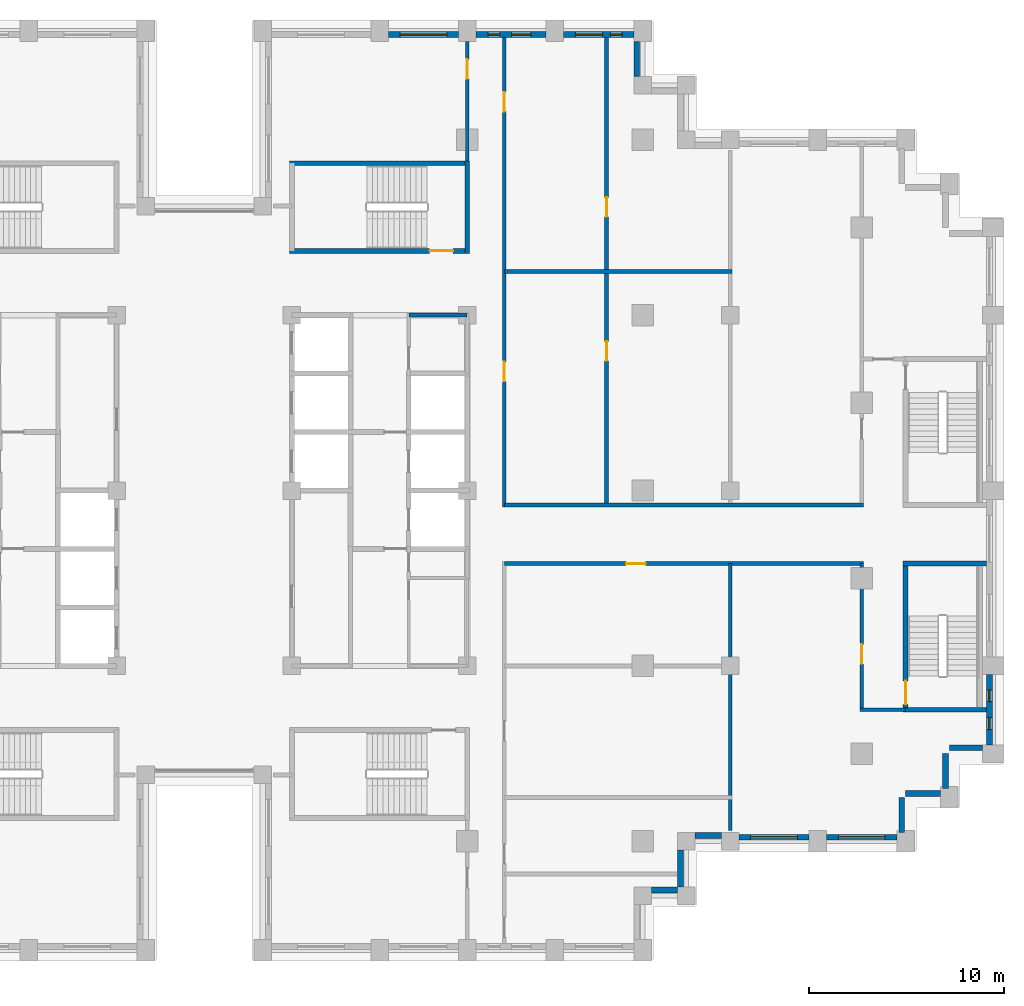
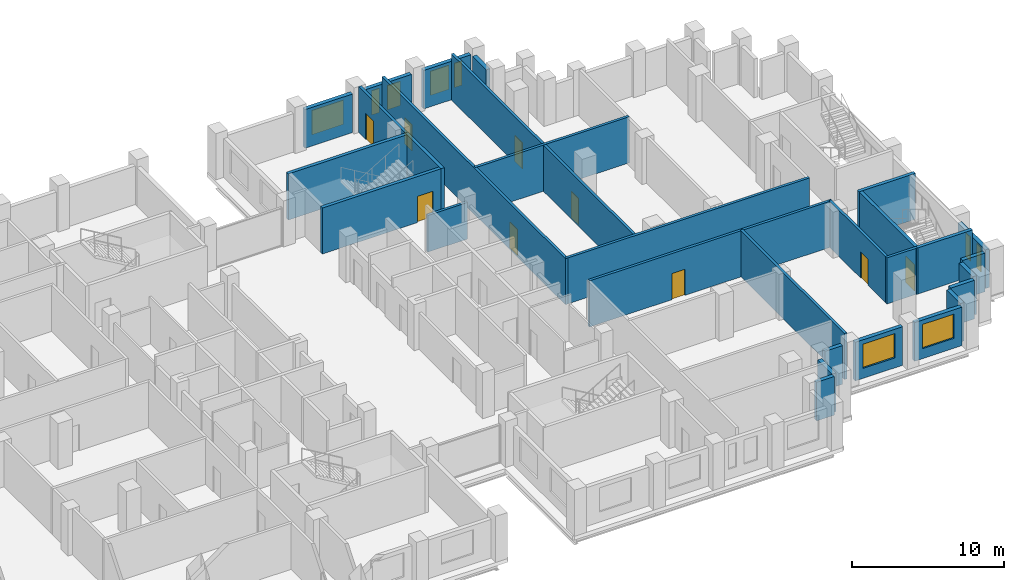
# One storey, part 11 of 15: 30 walls, 9 doors, 9 windows, 18 openings.
"""IFC4 building model written with IfcOpenShell, lengths in metres."""

from ifc_helpers import new_model, si_unit, direction, frame, frame_2d, origin, place, context, subcontext, project, spatial, rectangle, extrude, material, layer, layer_set, type_object, element, fill, save


model = new_model("IFC4")

# Units and contexts
model_context = context("Model", 3, precision=1e-05, world=origin(), true_north=direction((0.0, 1.0)))
body_context = subcontext(model_context, "Body", "Model", "MODEL_VIEW")
ifc_project = project(units=[si_unit("LENGTHUNIT", "METRE"), si_unit("AREAUNIT", "SQUARE_METRE"), si_unit("VOLUMEUNIT", "CUBIC_METRE"), si_unit("PLANEANGLEUNIT", "RADIAN"), si_unit("MASSUNIT", "GRAM", prefix="KILO")], contexts=[model_context])

# Site, building, storey
site_placement = place(None, origin())
site = spatial("IfcSite", under=ifc_project, at=site_placement, CompositionType="ELEMENT")
building_placement = place(site_placement, origin())
building = spatial("IfcBuilding", under=site, at=building_placement, Name="Corbelhall Arena Tower", CompositionType="ELEMENT")
storey_placement = place(building_placement, frame((0.0, 0.0, 162.0)))
storey = spatial("IfcBuildingStorey", under=building, at=storey_placement, Name="L32", CompositionType="ELEMENT", Elevation=162.0)

# Walls
ifc_material_1 = material(Name="Precast concrete C40/50 with granite facing", Category="masonry")
ifc_layer_1 = layer(ifc_material_1, 0.300048828125)
ifc_layer_set_1 = layer_set([ifc_layer_1], Name="EV-IW1 Infill panel 300")
wall_type_1 = type_object("IfcWallType", Name="EV-IW1 Infill panel 300", PredefinedType="SOLIDWALL", material=ifc_layer_set_1)
for number, where, z_axis, x_axis, name in (
    (1, (35.800048828125, -17.550048828125, 0.0), (0.0, 0.0, 1.0), (0.0, 1.0, 0.0), "Infill panel IW1"),
    (2, (37.800048828125, -15.550048828125, 0.0), (0.0, 0.0, 1.0), (-1.0, 0.0, 0.0), "Infill panel IW1"),
    (3, (38.050048828125, -15.300048828125, 0.0), (0.0, 0.0, 1.0), (0.0, 1.0, 0.0), "Infill panel IW1"),
):
    element("IfcWall", number, at=place(storey_placement, frame(where, z_axis=z_axis, x_axis=x_axis)), inside=storey, type_object=wall_type_1, Name=name, PredefinedType="SOLIDWALL", context=body_context, shape_type="SweptSolid", body=[
        extrude(rectangle(XDim=1.800048828125, YDim=0.300048828125, at=frame_2d((0.89990234375, 0.0))), origin(), (0.0, 0.0, 1.0), 3.10009765625),
    ])
wall_1_placement = place(storey_placement, frame((39.949951171875, -13.199951171875, 0.0), z_axis=(0.0, 0.0, 1.0), x_axis=(-1.0, 0.0, 0.0)))
element("IfcWall", 4, at=wall_1_placement, inside=storey, type_object=wall_type_1, Name="Infill panel IW1", PredefinedType="SOLIDWALL", context=body_context, shape_type="SweptSolid", body=[
    extrude(rectangle(XDim=1.699951171875, YDim=0.300048828125, at=frame_2d((0.85009765625, 0.0))), origin(), (0.0, 0.0, 1.0), 3.10009765625),
])
wall_2_placement = place(storey_placement, frame((22.949951171875, -20.5, 0.0), z_axis=(0.0, 0.0, 1.0), x_axis=(1.0, 0.0, 0.0)))
element("IfcWall", 5, at=wall_2_placement, inside=storey, type_object=wall_type_1, Name="Infill panel IW1", PredefinedType="SOLIDWALL", context=body_context, shape_type="SweptSolid", body=[
    extrude(rectangle(XDim=1.35009765625, YDim=0.300048828125, at=frame_2d((0.675048828125, 0.0))), origin(), (0.0, 0.0, 1.0), 3.10009765625),
])
wall_3_placement = place(storey_placement, frame((24.449951171875, -20.35009765625, 0.0), z_axis=(0.0, 0.0, 1.0), x_axis=(0.0, 1.0, 0.0)))
element("IfcWall", 6, at=wall_3_placement, inside=storey, type_object=wall_type_1, Name="Infill panel IW1", PredefinedType="SOLIDWALL", context=body_context, shape_type="SweptSolid", body=[
    extrude(rectangle(XDim=1.900146484375, YDim=0.300048828125, at=frame_2d((0.9501953125, 0.0))), origin(), (0.0, 0.0, 1.0), 3.10009765625),
])
wall_4_placement = place(storey_placement, frame((25.199951171875, -17.699951171875, 0.0), z_axis=(0.0, 0.0, 1.0), x_axis=(1.0, 0.0, 0.0)))
element("IfcWall", 7, at=wall_4_placement, inside=storey, type_object=wall_type_1, Name="Infill panel IW1", PredefinedType="SOLIDWALL", context=body_context, shape_type="SweptSolid", body=[
    extrude(rectangle(XDim=1.35009765625, YDim=0.300048828125, at=frame_2d((0.675048828125, 0.0))), origin(), (0.0, 0.0, 1.0), 3.10009765625),
])

# Wall, opening, window
wall_5_placement = place(storey_placement, frame((27.449951171875, -17.800048828125, 0.0), z_axis=(0.0, 0.0, 1.0), x_axis=(1.0, 0.0, 0.0)))
wall_5 = element("IfcWall", 8, at=wall_5_placement, inside=storey, type_object=wall_type_1, Name="Infill panel IW1", PredefinedType="SOLIDWALL", context=body_context, shape_type="SweptSolid", body=[
    extrude(rectangle(XDim=3.60009765625, YDim=0.300048828125, at=frame_2d((1.800048828125, 0.0))), origin(), (0.0, 0.0, 1.0), 3.10009765625),
])
opening_1_placement = place(wall_5_placement, frame((0.60009765625, 0.0, 0.800048828125)))
opening_1 = element("IfcOpeningElement", 9, at=opening_1_placement, cuts=wall_5, Name="Opening WN1", PredefinedType="OPENING", context=body_context, shape_type="SweptSolid", body=[
    extrude(rectangle(XDim=2.39990234375, YDim=1.949951171875, at=frame_2d((1.199951171875, 0.97509765625))), frame((0.0, 0.14990234375, 0.0), z_axis=(0.0, -1.0, 0.0), x_axis=(1.0, 0.0, 0.0)), (0.0, 0.0, 1.0), 0.300048828125),
])
ifc_material_2 = material(Name="Aluminium black anodised", Category="aluminium")
window_type_1 = type_object("IfcWindowType", Name="EV-WN1 Office window", PartitioningType="SINGLE_PANEL", PredefinedType="WINDOW", material=ifc_material_2)
window_1_placement = place(opening_1_placement, origin())
window_1 = element("IfcWindow", 10, at=window_1_placement, inside=storey, type_object=window_type_1, Name="Window WN1", OverallHeight=1.949951171875, OverallWidth=2.39990234375, PartitioningType="SINGLE_PANEL", PredefinedType="WINDOW", context=body_context, shape_type="SweptSolid", body=[
    extrude(rectangle(XDim=2.39990234375, YDim=1.949951171875, at=frame_2d((1.199951171875, 0.97509765625))), frame((0.0, 0.030029296875, 0.0), z_axis=(0.0, -1.0, 0.0), x_axis=(1.0, 0.0, 0.0)), (0.0, 0.0, 1.0), 0.06005859375),
])
fill(opening_1, window_1)

wall_6_placement = place(storey_placement, frame((31.949951171875, -17.800048828125, 0.0), z_axis=(0.0, 0.0, 1.0), x_axis=(1.0, 0.0, 0.0)))
wall_6 = element("IfcWall", 11, at=wall_6_placement, inside=storey, type_object=wall_type_1, Name="Infill panel IW1", PredefinedType="SOLIDWALL", context=body_context, shape_type="SweptSolid", body=[
    extrude(rectangle(XDim=3.60009765625, YDim=0.300048828125, at=frame_2d((1.800048828125, 0.0))), origin(), (0.0, 0.0, 1.0), 3.10009765625),
])
opening_2_placement = place(wall_6_placement, frame((0.60009765625, 0.0, 0.800048828125)))
opening_2 = element("IfcOpeningElement", 12, at=opening_2_placement, cuts=wall_6, Name="Opening WN1", PredefinedType="OPENING", context=body_context, shape_type="SweptSolid", body=[
    extrude(rectangle(XDim=2.39990234375, YDim=1.949951171875, at=frame_2d((1.199951171875, 0.97509765625))), frame((0.0, 0.14990234375, 0.0), z_axis=(0.0, -1.0, 0.0), x_axis=(1.0, 0.0, 0.0)), (0.0, 0.0, 1.0), 0.300048828125),
])
window_2_placement = place(opening_2_placement, origin())
window_2 = element("IfcWindow", 13, at=window_2_placement, inside=storey, type_object=window_type_1, Name="Window WN1", OverallHeight=1.949951171875, OverallWidth=2.39990234375, PartitioningType="SINGLE_PANEL", PredefinedType="WINDOW", context=body_context, shape_type="SweptSolid", body=[
    extrude(rectangle(XDim=2.39990234375, YDim=1.949951171875, at=frame_2d((1.199951171875, 0.97509765625))), frame((0.0, 0.030029296875, 0.0), z_axis=(0.0, -1.0, 0.0), x_axis=(1.0, 0.0, 0.0)), (0.0, 0.0, 1.0), 0.06005859375),
])
fill(opening_2, window_2)

# Wall, openings, windows
wall_7_placement = place(storey_placement, frame((40.300048828125, -13.050048828125, 0.0), z_axis=(0.0, 0.0, 1.0), x_axis=(0.0, 1.0, 0.0)))
wall_7 = element("IfcWall", 14, at=wall_7_placement, inside=storey, type_object=wall_type_1, Name="Infill panel IW1", PredefinedType="SOLIDWALL", context=body_context, shape_type="SweptSolid", body=[
    extrude(rectangle(XDim=3.60009765625, YDim=0.300048828125, at=frame_2d((1.800048828125, 0.0))), origin(), (0.0, 0.0, 1.0), 3.10009765625),
])
opening_3_placement = place(wall_7_placement, frame((0.78759765625, 0.0, 0.800048828125)))
opening_3 = element("IfcOpeningElement", 15, at=opening_3_placement, cuts=wall_7, Name="Opening WN5", PredefinedType="OPENING", context=body_context, shape_type="SweptSolid", body=[
    extrude(rectangle(XDim=0.60009765625, YDim=1.949951171875, at=frame_2d((0.300048828125, 0.97509765625))), frame((0.0, 0.14990234375, 0.0), z_axis=(0.0, -1.0, 0.0), x_axis=(1.0, 0.0, 0.0)), (0.0, 0.0, 1.0), 0.300048828125),
])
opening_4_placement = place(wall_7_placement, frame((2.21240234375, 0.0, 0.800048828125)))
opening_4 = element("IfcOpeningElement", 16, at=opening_4_placement, cuts=wall_7, Name="Opening WN5", PredefinedType="OPENING", context=body_context, shape_type="SweptSolid", body=[
    extrude(rectangle(XDim=0.60009765625, YDim=1.949951171875, at=frame_2d((0.300048828125, 0.97509765625))), frame((0.0, 0.14990234375, 0.0), z_axis=(0.0, -1.0, 0.0), x_axis=(1.0, 0.0, 0.0)), (0.0, 0.0, 1.0), 0.300048828125),
])
window_type_2 = type_object("IfcWindowType", Name="EV-WN5 Office window 600", PartitioningType="SINGLE_PANEL", PredefinedType="WINDOW", material=ifc_material_2)
window_3_placement = place(opening_3_placement, origin())
window_3 = element("IfcWindow", 17, at=window_3_placement, inside=storey, type_object=window_type_2, Name="Window WN5", OverallHeight=1.949951171875, OverallWidth=0.60009765625, PartitioningType="SINGLE_PANEL", PredefinedType="WINDOW", context=body_context, shape_type="SweptSolid", body=[
    extrude(rectangle(XDim=0.60009765625, YDim=1.949951171875, at=frame_2d((0.300048828125, 0.97509765625))), frame((0.0, 0.030029296875, 0.0), z_axis=(0.0, -1.0, 0.0), x_axis=(1.0, 0.0, 0.0)), (0.0, 0.0, 1.0), 0.06005859375),
])
fill(opening_3, window_3)
window_4_placement = place(opening_4_placement, origin())
window_4 = element("IfcWindow", 18, at=window_4_placement, inside=storey, type_object=window_type_2, Name="Window WN5", OverallHeight=1.949951171875, OverallWidth=0.60009765625, PartitioningType="SINGLE_PANEL", PredefinedType="WINDOW", context=body_context, shape_type="SweptSolid", body=[
    extrude(rectangle(XDim=0.60009765625, YDim=1.949951171875, at=frame_2d((0.300048828125, 0.97509765625))), frame((0.0, 0.030029296875, 0.0), z_axis=(0.0, -1.0, 0.0), x_axis=(1.0, 0.0, 0.0)), (0.0, 0.0, 1.0), 0.06005859375),
])
fill(opening_4, window_4)

# Wall
wall_8_placement = place(storey_placement, frame((22.199951171875, 21.25, 0.0), z_axis=(0.0, 0.0, 1.0), x_axis=(0.0, 1.0, 0.0)))
element("IfcWall", 19, at=wall_8_placement, inside=storey, type_object=wall_type_1, Name="Infill panel IW1", PredefinedType="SOLIDWALL", context=body_context, shape_type="SweptSolid", body=[
    extrude(rectangle(XDim=1.800048828125, YDim=0.300048828125, at=frame_2d((0.89990234375, 0.0))), origin(), (0.0, 0.0, 1.0), 3.10009765625),
])

# Wall, openings, windows
wall_9_placement = place(storey_placement, frame((22.050048828125, 23.39990234375, 0.0), z_axis=(0.0, 0.0, 1.0), x_axis=(-1.0, 0.0, 0.0)))
wall_9 = element("IfcWall", 20, at=wall_9_placement, inside=storey, type_object=wall_type_1, Name="Infill panel IW1", PredefinedType="SOLIDWALL", context=body_context, shape_type="SweptSolid", body=[
    extrude(rectangle(XDim=3.60009765625, YDim=0.300048828125, at=frame_2d((1.800048828125, 0.0))), origin(), (0.0, 0.0, 1.0), 3.10009765625),
])
opening_5_placement = place(wall_9_placement, frame((0.60009765625, 0.0, 0.800048828125)))
opening_5 = element("IfcOpeningElement", 21, at=opening_5_placement, cuts=wall_9, Name="Opening WN5", PredefinedType="OPENING", context=body_context, shape_type="SweptSolid", body=[
    extrude(rectangle(XDim=0.60009765625, YDim=1.949951171875, at=frame_2d((0.300048828125, 0.97509765625))), frame((0.0, 0.14990234375, 0.0), z_axis=(0.0, -1.0, 0.0), x_axis=(1.0, 0.0, 0.0)), (0.0, 0.0, 1.0), 0.300048828125),
])
opening_6_placement = place(wall_9_placement, frame((1.60009765625, 0.0, 0.800048828125)))
opening_6 = element("IfcOpeningElement", 22, at=opening_6_placement, cuts=wall_9, Name="Opening WN7", PredefinedType="OPENING", context=body_context, shape_type="SweptSolid", body=[
    extrude(rectangle(XDim=1.39990234375, YDim=1.949951171875, at=frame_2d((0.699951171875, 0.97509765625))), frame((0.0, 0.14990234375, 0.0), z_axis=(0.0, -1.0, 0.0), x_axis=(1.0, 0.0, 0.0)), (0.0, 0.0, 1.0), 0.300048828125),
])
window_5_placement = place(opening_5_placement, origin())
window_5 = element("IfcWindow", 23, at=window_5_placement, inside=storey, type_object=window_type_2, Name="Window WN5", OverallHeight=1.949951171875, OverallWidth=0.60009765625, PartitioningType="SINGLE_PANEL", PredefinedType="WINDOW", context=body_context, shape_type="SweptSolid", body=[
    extrude(rectangle(XDim=0.60009765625, YDim=1.949951171875, at=frame_2d((0.300048828125, 0.97509765625))), frame((0.0, 0.030029296875, 0.0), z_axis=(0.0, -1.0, 0.0), x_axis=(1.0, 0.0, 0.0)), (0.0, 0.0, 1.0), 0.06005859375),
])
fill(opening_5, window_5)
window_type_3 = type_object("IfcWindowType", Name="EV-WN7 Office window 1400", PartitioningType="SINGLE_PANEL", PredefinedType="WINDOW", material=ifc_material_2)
window_6_placement = place(opening_6_placement, origin())
window_6 = element("IfcWindow", 24, at=window_6_placement, inside=storey, type_object=window_type_3, Name="Window WN7", OverallHeight=1.949951171875, OverallWidth=1.39990234375, PartitioningType="SINGLE_PANEL", PredefinedType="WINDOW", context=body_context, shape_type="SweptSolid", body=[
    extrude(rectangle(XDim=1.39990234375, YDim=1.949951171875, at=frame_2d((0.699951171875, 0.97509765625))), frame((0.0, 0.030029296875, 0.0), z_axis=(0.0, -1.0, 0.0), x_axis=(1.0, 0.0, 0.0)), (0.0, 0.0, 1.0), 0.06005859375),
])
fill(opening_6, window_6)

wall_10_placement = place(storey_placement, frame((17.550048828125, 23.39990234375, 0.0), z_axis=(0.0, 0.0, 1.0), x_axis=(-1.0, 0.0, 0.0)))
wall_10 = element("IfcWall", 25, at=wall_10_placement, inside=storey, type_object=wall_type_1, Name="Infill panel IW1", PredefinedType="SOLIDWALL", context=body_context, shape_type="SweptSolid", body=[
    extrude(rectangle(XDim=3.60009765625, YDim=0.300048828125, at=frame_2d((1.800048828125, 0.0))), origin(), (0.0, 0.0, 1.0), 3.10009765625),
])
opening_7_placement = place(wall_10_placement, frame((0.77490234375, 0.0, 0.800048828125)))
opening_7 = element("IfcOpeningElement", 26, at=opening_7_placement, cuts=wall_10, Name="Opening WN6", PredefinedType="OPENING", context=body_context, shape_type="SweptSolid", body=[
    extrude(rectangle(XDim=1.0, YDim=1.949951171875, at=frame_2d((0.5, 0.97509765625))), frame((0.0, 0.14990234375, 0.0), z_axis=(0.0, -1.0, 0.0), x_axis=(1.0, 0.0, 0.0)), (0.0, 0.0, 1.0), 0.300048828125),
])
opening_8_placement = place(wall_10_placement, frame((2.375, 0.0, 0.800048828125)))
opening_8 = element("IfcOpeningElement", 27, at=opening_8_placement, cuts=wall_10, Name="Opening WN5", PredefinedType="OPENING", context=body_context, shape_type="SweptSolid", body=[
    extrude(rectangle(XDim=0.60009765625, YDim=1.949951171875, at=frame_2d((0.300048828125, 0.97509765625))), frame((0.0, 0.14990234375, 0.0), z_axis=(0.0, -1.0, 0.0), x_axis=(1.0, 0.0, 0.0)), (0.0, 0.0, 1.0), 0.300048828125),
])
window_7_placement = place(opening_8_placement, origin())
window_7 = element("IfcWindow", 28, at=window_7_placement, inside=storey, type_object=window_type_2, Name="Window WN5", OverallHeight=1.949951171875, OverallWidth=0.60009765625, PartitioningType="SINGLE_PANEL", PredefinedType="WINDOW", context=body_context, shape_type="SweptSolid", body=[
    extrude(rectangle(XDim=0.60009765625, YDim=1.949951171875, at=frame_2d((0.300048828125, 0.97509765625))), frame((0.0, 0.030029296875, 0.0), z_axis=(0.0, -1.0, 0.0), x_axis=(1.0, 0.0, 0.0)), (0.0, 0.0, 1.0), 0.06005859375),
])
fill(opening_8, window_7)
window_type_4 = type_object("IfcWindowType", Name="EV-WN6 Office window 1000", PartitioningType="SINGLE_PANEL", PredefinedType="WINDOW", material=ifc_material_2)
window_8_placement = place(opening_7_placement, origin())
window_8 = element("IfcWindow", 29, at=window_8_placement, inside=storey, type_object=window_type_4, Name="Window WN6", OverallHeight=1.949951171875, OverallWidth=1.0, PartitioningType="SINGLE_PANEL", PredefinedType="WINDOW", context=body_context, shape_type="SweptSolid", body=[
    extrude(rectangle(XDim=1.0, YDim=1.949951171875, at=frame_2d((0.5, 0.97509765625))), frame((0.0, 0.030029296875, 0.0), z_axis=(0.0, -1.0, 0.0), x_axis=(1.0, 0.0, 0.0)), (0.0, 0.0, 1.0), 0.06005859375),
])
fill(opening_7, window_8)

# Wall, opening, window
wall_11_placement = place(storey_placement, frame((13.050048828125, 23.39990234375, 0.0), z_axis=(0.0, 0.0, 1.0), x_axis=(-1.0, 0.0, 0.0)))
wall_11 = element("IfcWall", 30, at=wall_11_placement, inside=storey, type_object=wall_type_1, Name="Infill panel IW1", PredefinedType="SOLIDWALL", context=body_context, shape_type="SweptSolid", body=[
    extrude(rectangle(XDim=3.60009765625, YDim=0.300048828125, at=frame_2d((1.800048828125, 0.0))), origin(), (0.0, 0.0, 1.0), 3.10009765625),
])
opening_9_placement = place(wall_11_placement, frame((0.60009765625, 0.0, 0.800048828125)))
opening_9 = element("IfcOpeningElement", 31, at=opening_9_placement, cuts=wall_11, Name="Opening WN1", PredefinedType="OPENING", context=body_context, shape_type="SweptSolid", body=[
    extrude(rectangle(XDim=2.39990234375, YDim=1.949951171875, at=frame_2d((1.199951171875, 0.97509765625))), frame((0.0, 0.14990234375, 0.0), z_axis=(0.0, -1.0, 0.0), x_axis=(1.0, 0.0, 0.0)), (0.0, 0.0, 1.0), 0.300048828125),
])
window_9_placement = place(opening_9_placement, origin())
window_9 = element("IfcWindow", 32, at=window_9_placement, inside=storey, type_object=window_type_1, Name="Window WN1", OverallHeight=1.949951171875, OverallWidth=2.39990234375, PartitioningType="SINGLE_PANEL", PredefinedType="WINDOW", context=body_context, shape_type="SweptSolid", body=[
    extrude(rectangle(XDim=2.39990234375, YDim=1.949951171875, at=frame_2d((1.199951171875, 0.97509765625))), frame((0.0, 0.030029296875, 0.0), z_axis=(0.0, -1.0, 0.0), x_axis=(1.0, 0.0, 0.0)), (0.0, 0.0, 1.0), 0.06005859375),
])
fill(opening_9, window_9)

# Wall, opening, door
ifc_material_3 = material(Name="Gypsum board on steel stud, acoustic", Category="steel")
ifc_layer_2 = layer(ifc_material_3, 0.199951171875)
ifc_layer_set_2 = layer_set([ifc_layer_2], Name="IN-W-DM200")
wall_type_2 = type_object("IfcWallType", Name="IN-W-DM200", PredefinedType="PARTITIONING", material=ifc_layer_set_2)
wall_12_placement = place(storey_placement, frame((13.5, 16.675048828125, 0.0), z_axis=(0.0, 0.0, 1.0), x_axis=(0.0, 1.0, 0.0)))
wall_12 = element("IfcWall", 33, at=wall_12_placement, inside=storey, type_object=wall_type_2, Name="Partition 028", PredefinedType="PARTITIONING", context=body_context, shape_type="SweptSolid", body=[
    extrude(rectangle(XDim=6.375, YDim=0.199951171875, at=frame_2d((3.1875, 0.0))), origin(), (0.0, 0.0, 1.0), 3.699951171875),
])
opening_10_placement = place(wall_12_placement, frame((4.449951171875, 0.0, 0.0)))
opening_10 = element("IfcOpeningElement", 34, at=opening_10_placement, cuts=wall_12, Name="Opening 09021", PredefinedType="OPENING", context=body_context, shape_type="SweptSolid", body=[
    extrude(rectangle(XDim=1.0, YDim=2.10009765625, at=frame_2d((0.5, 1.050048828125))), frame((0.0, 0.10009765625, 0.0), z_axis=(0.0, -1.0, 0.0), x_axis=(1.0, 0.0, 0.0)), (0.0, 0.0, 1.0), 0.199951171875),
])
ifc_material_4 = material(Name="Steel door set", Category="steel")
door_type_1 = type_object("IfcDoorType", Name="IN-D-SW100", OperationType="NOTDEFINED", PredefinedType="DOOR", material=ifc_material_4)
door_1_placement = place(opening_10_placement, origin())
door_1 = element("IfcDoor", 35, at=door_1_placement, inside=storey, type_object=door_type_1, Name="Door 021", OperationType="SINGLE_SWING_RIGHT", OverallHeight=2.10009765625, OverallWidth=1.0, PredefinedType="DOOR", context=body_context, shape_type="SweptSolid", body=[
    extrude(rectangle(XDim=1.0, YDim=2.10009765625, at=frame_2d((0.5, 1.050048828125))), frame((0.0, 0.02490234375, 0.0), z_axis=(0.0, -1.0, 0.0), x_axis=(1.0, 0.0, 0.0)), (0.0, 0.0, 1.0), 0.050048828125),
])
fill(opening_10, door_1)

# Walls
wall_13_placement = place(storey_placement, frame((15.39990234375, -0.75, 0.0), z_axis=(0.0, 0.0, 1.0), x_axis=(1.0, 0.0, 0.0)))
element("IfcWall", 36, at=wall_13_placement, inside=storey, type_object=wall_type_2, Name="Partition 033", PredefinedType="PARTITIONING", context=body_context, shape_type="SweptSolid", body=[
    extrude(rectangle(XDim=18.4501953125, YDim=0.199951171875, at=frame_2d((9.22509765625, 0.0))), origin(), (0.0, 0.0, 1.0), 3.699951171875),
])
wall_14_placement = place(storey_placement, frame((15.39990234375, 11.25, 0.0), z_axis=(0.0, 0.0, 1.0), x_axis=(1.0, 0.0, 0.0)))
element("IfcWall", 37, at=wall_14_placement, inside=storey, type_object=wall_type_2, Name="Partition 034", PredefinedType="PARTITIONING", context=body_context, shape_type="SweptSolid", body=[
    extrude(rectangle(XDim=11.7001953125, YDim=0.199951171875, at=frame_2d((5.85009765625, 0.0))), origin(), (0.0, 0.0, 1.0), 3.699951171875),
])

# Wall, openings, doors
wall_15_placement = place(storey_placement, frame((15.39990234375, 23.25, 0.0), z_axis=(0.0, 0.0, 1.0), x_axis=(0.0, -1.0, 0.0)))
wall_15 = element("IfcWall", 38, at=wall_15_placement, inside=storey, type_object=wall_type_2, Name="Partition 035", PredefinedType="PARTITIONING", context=body_context, shape_type="SweptSolid", body=[
    extrude(rectangle(XDim=24.10009765625, YDim=0.199951171875, at=frame_2d((12.050048828125, 0.0))), origin(), (0.0, 0.0, 1.0), 3.699951171875),
])
opening_11_placement = place(wall_15_placement, frame((16.64990234375, 0.0, 0.0)))
opening_11 = element("IfcOpeningElement", 39, at=opening_11_placement, cuts=wall_15, Name="Opening 09031", PredefinedType="OPENING", context=body_context, shape_type="SweptSolid", body=[
    extrude(rectangle(XDim=1.0, YDim=2.10009765625, at=frame_2d((0.5, 1.050048828125))), frame((0.0, 0.10009765625, 0.0), z_axis=(0.0, -1.0, 0.0), x_axis=(1.0, 0.0, 0.0)), (0.0, 0.0, 1.0), 0.199951171875),
])
opening_12_placement = place(wall_15_placement, frame((2.800048828125, 0.0, 0.0)))
opening_12 = element("IfcOpeningElement", 40, at=opening_12_placement, cuts=wall_15, Name="Opening 09033", PredefinedType="OPENING", context=body_context, shape_type="SweptSolid", body=[
    extrude(rectangle(XDim=1.0, YDim=2.10009765625, at=frame_2d((0.5, 1.050048828125))), frame((0.0, 0.10009765625, 0.0), z_axis=(0.0, -1.0, 0.0), x_axis=(1.0, 0.0, 0.0)), (0.0, 0.0, 1.0), 0.199951171875),
])
door_2_placement = place(opening_11_placement, origin())
door_2 = element("IfcDoor", 41, at=door_2_placement, inside=storey, type_object=door_type_1, Name="Door 031", OperationType="SINGLE_SWING_RIGHT", OverallHeight=2.10009765625, OverallWidth=1.0, PredefinedType="DOOR", context=body_context, shape_type="SweptSolid", body=[
    extrude(rectangle(XDim=1.0, YDim=2.10009765625, at=frame_2d((0.5, 1.050048828125))), frame((0.0, 0.02490234375, 0.0), z_axis=(0.0, -1.0, 0.0), x_axis=(1.0, 0.0, 0.0)), (0.0, 0.0, 1.0), 0.050048828125),
])
fill(opening_11, door_2)
door_3_placement = place(opening_12_placement, origin())
door_3 = element("IfcDoor", 42, at=door_3_placement, inside=storey, type_object=door_type_1, Name="Door 033", OperationType="SINGLE_SWING_RIGHT", OverallHeight=2.10009765625, OverallWidth=1.0, PredefinedType="DOOR", context=body_context, shape_type="SweptSolid", body=[
    extrude(rectangle(XDim=1.0, YDim=2.10009765625, at=frame_2d((0.5, 1.050048828125))), frame((0.0, 0.02490234375, 0.0), z_axis=(0.0, -1.0, 0.0), x_axis=(1.0, 0.0, 0.0)), (0.0, 0.0, 1.0), 0.050048828125),
])
fill(opening_12, door_3)

wall_16_placement = place(storey_placement, frame((20.64990234375, 23.25, 0.0), z_axis=(0.0, 0.0, 1.0), x_axis=(0.0, -1.0, 0.0)))
wall_16 = element("IfcWall", 43, at=wall_16_placement, inside=storey, type_object=wall_type_2, Name="Partition 036", PredefinedType="PARTITIONING", context=body_context, shape_type="SweptSolid", body=[
    extrude(rectangle(XDim=24.0, YDim=0.199951171875, at=frame_2d((12.0, 0.0))), origin(), (0.0, 0.0, 1.0), 3.699951171875),
])
opening_13_placement = place(wall_16_placement, frame((15.60009765625, 0.0, 0.0)))
opening_13 = element("IfcOpeningElement", 44, at=opening_13_placement, cuts=wall_16, Name="Opening 09032", PredefinedType="OPENING", context=body_context, shape_type="SweptSolid", body=[
    extrude(rectangle(XDim=1.0, YDim=2.10009765625, at=frame_2d((0.5, 1.050048828125))), frame((0.0, 0.10009765625, 0.0), z_axis=(0.0, -1.0, 0.0), x_axis=(1.0, 0.0, 0.0)), (0.0, 0.0, 1.0), 0.199951171875),
])
opening_14_placement = place(wall_16_placement, frame((8.199951171875, 0.0, 0.0)))
opening_14 = element("IfcOpeningElement", 45, at=opening_14_placement, cuts=wall_16, Name="Opening 09034", PredefinedType="OPENING", context=body_context, shape_type="SweptSolid", body=[
    extrude(rectangle(XDim=1.0, YDim=2.10009765625, at=frame_2d((0.5, 1.050048828125))), frame((0.0, 0.10009765625, 0.0), z_axis=(0.0, -1.0, 0.0), x_axis=(1.0, 0.0, 0.0)), (0.0, 0.0, 1.0), 0.199951171875),
])
door_4_placement = place(opening_13_placement, origin())
door_4 = element("IfcDoor", 46, at=door_4_placement, inside=storey, type_object=door_type_1, Name="Door 032", OperationType="SINGLE_SWING_LEFT", OverallHeight=2.10009765625, OverallWidth=1.0, PredefinedType="DOOR", context=body_context, shape_type="SweptSolid", body=[
    extrude(rectangle(XDim=1.0, YDim=2.10009765625, at=frame_2d((0.5, 1.050048828125))), frame((0.0, 0.02490234375, 0.0), z_axis=(0.0, -1.0, 0.0), x_axis=(1.0, 0.0, 0.0)), (0.0, 0.0, 1.0), 0.050048828125),
])
fill(opening_13, door_4)
door_5_placement = place(opening_14_placement, origin())
door_5 = element("IfcDoor", 47, at=door_5_placement, inside=storey, type_object=door_type_1, Name="Door 034", OperationType="SINGLE_SWING_LEFT", OverallHeight=2.10009765625, OverallWidth=1.0, PredefinedType="DOOR", context=body_context, shape_type="SweptSolid", body=[
    extrude(rectangle(XDim=1.0, YDim=2.10009765625, at=frame_2d((0.5, 1.050048828125))), frame((0.0, 0.02490234375, 0.0), z_axis=(0.0, -1.0, 0.0), x_axis=(1.0, 0.0, 0.0)), (0.0, 0.0, 1.0), 0.050048828125),
])
fill(opening_14, door_5)

# Wall
wall_17_placement = place(storey_placement, frame((27.0, -3.75, 0.0), z_axis=(0.0, 0.0, 1.0), x_axis=(0.0, -1.0, 0.0)))
element("IfcWall", 48, at=wall_17_placement, inside=storey, type_object=wall_type_2, Name="Partition 037", PredefinedType="PARTITIONING", context=body_context, shape_type="SweptSolid", body=[
    extrude(rectangle(XDim=13.699951171875, YDim=0.199951171875, at=frame_2d((6.85009765625, 0.0))), origin(), (0.0, 0.0, 1.0), 3.699951171875),
])

# Wall, opening, door
wall_18_placement = place(storey_placement, frame((33.85009765625, -3.75, 0.0), z_axis=(0.0, 0.0, 1.0), x_axis=(-1.0, 0.0, 0.0)))
wall_18 = element("IfcWall", 49, at=wall_18_placement, inside=storey, type_object=wall_type_2, Name="Partition 039", PredefinedType="PARTITIONING", context=body_context, shape_type="SweptSolid", body=[
    extrude(rectangle(XDim=18.4501953125, YDim=0.199951171875, at=frame_2d((9.22509765625, 0.0))), origin(), (0.0, 0.0, 1.0), 3.699951171875),
])
opening_15_placement = place(wall_18_placement, frame((11.199951171875, 0.0, 0.0)))
opening_15 = element("IfcOpeningElement", 50, at=opening_15_placement, cuts=wall_18, Name="Opening 09038", PredefinedType="OPENING", context=body_context, shape_type="SweptSolid", body=[
    extrude(rectangle(XDim=1.0, YDim=2.10009765625, at=frame_2d((0.5, 1.050048828125))), frame((0.0, 0.10009765625, 0.0), z_axis=(0.0, -1.0, 0.0), x_axis=(1.0, 0.0, 0.0)), (0.0, 0.0, 1.0), 0.199951171875),
])
door_6_placement = place(opening_15_placement, origin())
door_6 = element("IfcDoor", 51, at=door_6_placement, inside=storey, type_object=door_type_1, Name="Door 038", OperationType="SINGLE_SWING_LEFT", OverallHeight=2.10009765625, OverallWidth=1.0, PredefinedType="DOOR", context=body_context, shape_type="SweptSolid", body=[
    extrude(rectangle(XDim=1.0, YDim=2.10009765625, at=frame_2d((0.5, 1.050048828125))), frame((0.0, 0.02490234375, 0.0), z_axis=(0.0, -1.0, 0.0), x_axis=(1.0, 0.0, 0.0)), (0.0, 0.0, 1.0), 0.050048828125),
])
fill(opening_15, door_6)

wall_19_placement = place(storey_placement, frame((33.75, -11.25, 0.0), z_axis=(0.0, 0.0, 1.0), x_axis=(0.0, 1.0, 0.0)))
wall_19 = element("IfcWall", 52, at=wall_19_placement, inside=storey, type_object=wall_type_2, Name="Partition 041", PredefinedType="PARTITIONING", context=body_context, shape_type="SweptSolid", body=[
    extrude(rectangle(XDim=7.5, YDim=0.199951171875, at=frame_2d((3.75, 0.0))), origin(), (0.0, 0.0, 1.0), 3.699951171875),
])
opening_16_placement = place(wall_19_placement, frame((2.35009765625, 0.0, 0.0)))
opening_16 = element("IfcOpeningElement", 53, at=opening_16_placement, cuts=wall_19, Name="Opening 09045", PredefinedType="OPENING", context=body_context, shape_type="SweptSolid", body=[
    extrude(rectangle(XDim=1.0, YDim=2.10009765625, at=frame_2d((0.5, 1.050048828125))), frame((0.0, 0.10009765625, 0.0), z_axis=(0.0, -1.0, 0.0), x_axis=(1.0, 0.0, 0.0)), (0.0, 0.0, 1.0), 0.199951171875),
])
door_7_placement = place(opening_16_placement, origin())
door_7 = element("IfcDoor", 54, at=door_7_placement, inside=storey, type_object=door_type_1, Name="Door 045", OperationType="SINGLE_SWING_RIGHT", OverallHeight=2.10009765625, OverallWidth=1.0, PredefinedType="DOOR", context=body_context, shape_type="SweptSolid", body=[
    extrude(rectangle(XDim=1.0, YDim=2.10009765625, at=frame_2d((0.5, 1.050048828125))), frame((0.0, 0.02490234375, 0.0), z_axis=(0.0, -1.0, 0.0), x_axis=(1.0, 0.0, 0.0)), (0.0, 0.0, 1.0), 0.050048828125),
])
fill(opening_16, door_7)

# Walls
wall_20_placement = place(storey_placement, frame((36.0, -11.25, 0.0), z_axis=(0.0, 0.0, 1.0), x_axis=(-1.0, 0.0, 0.0)))
element("IfcWall", 55, at=wall_20_placement, inside=storey, type_object=wall_type_2, Name="Partition 043", PredefinedType="PARTITIONING", context=body_context, shape_type="SweptSolid", body=[
    extrude(rectangle(XDim=2.35009765625, YDim=0.199951171875, at=frame_2d((1.175048828125, 0.0))), origin(), (0.0, 0.0, 1.0), 3.699951171875),
])
ifc_material_5 = material(Name="Concrete block wall", Category="concrete")
ifc_layer_3 = layer(ifc_material_5, 0.199951171875)
ifc_layer_set_3 = layer_set([ifc_layer_3], Name="IN-W-RS200 under beam 762 mm")
wall_type_3 = type_object("IfcWallType", Name="IN-W-RS200 under beam 762 mm", PredefinedType="SOLIDWALL", material=ifc_layer_set_3)
wall_21_placement = place(storey_placement, frame((10.5, 9.0, 0.0), z_axis=(0.0, 0.0, 1.0), x_axis=(1.0, 0.0, 0.0)))
element("IfcWall", 56, at=wall_21_placement, inside=storey, type_object=wall_type_3, Name="Partition 053", PredefinedType="SOLIDWALL", context=body_context, shape_type="SweptSolid", body=[
    extrude(rectangle(XDim=3.0, YDim=0.199951171875, at=frame_2d((1.5, 0.0))), origin(), (0.0, 0.0, 1.0), 2.93798828125),
])

# Wall, opening, door
ifc_material_6 = material(Name="Concrete C40/50", Category="concrete")
ifc_layer_4 = layer(ifc_material_6, 0.25)
ifc_layer_set_4 = layer_set([ifc_layer_4], Name="IN-W-ST250")
wall_type_4 = type_object("IfcWallType", Name="IN-W-ST250", PredefinedType="SOLIDWALL", material=ifc_layer_set_4)
wall_22_placement = place(storey_placement, frame((4.375, 12.300048828125, 0.0), z_axis=(0.0, 0.0, 1.0), x_axis=(1.0, 0.0, 0.0)))
wall_22 = element("IfcWall", 57, at=wall_22_placement, inside=storey, type_object=wall_type_4, Name="Shaft wall 092", PredefinedType="SOLIDWALL", context=body_context, shape_type="SweptSolid", body=[
    extrude(rectangle(XDim=9.125, YDim=0.25, at=frame_2d((4.5625, 0.0))), origin(), (0.0, 0.0, 1.0), 3.699951171875),
])
opening_17_placement = place(wall_22_placement, frame((7.199951171875, 0.0, 0.0)))
opening_17 = element("IfcOpeningElement", 58, at=opening_17_placement, cuts=wall_22, Name="Opening 09014", PredefinedType="OPENING", context=body_context, shape_type="SweptSolid", body=[
    extrude(rectangle(XDim=1.199951171875, YDim=2.10009765625, at=frame_2d((0.60009765625, 1.050048828125))), frame((0.0, 0.125, 0.0), z_axis=(0.0, -1.0, 0.0), x_axis=(1.0, 0.0, 0.0)), (0.0, 0.0, 1.0), 0.25),
])
door_type_2 = type_object("IfcDoorType", Name="IN-D-ST120", OperationType="NOTDEFINED", PredefinedType="DOOR", material=ifc_material_4)
door_8_placement = place(opening_17_placement, origin())
door_8 = element("IfcDoor", 59, at=door_8_placement, inside=storey, type_object=door_type_2, Name="Door 014", OperationType="SINGLE_SWING_LEFT", OverallHeight=2.10009765625, OverallWidth=1.199951171875, PredefinedType="DOOR", context=body_context, shape_type="SweptSolid", body=[
    extrude(rectangle(XDim=1.199951171875, YDim=2.10009765625, at=frame_2d((0.60009765625, 1.050048828125))), frame((0.0, 0.02490234375, 0.0), z_axis=(0.0, -1.0, 0.0), x_axis=(1.0, 0.0, 0.0)), (0.0, 0.0, 1.0), 0.050048828125),
])
fill(opening_17, door_8)

# Walls
wall_23_placement = place(storey_placement, frame((4.375, 16.800048828125, 0.0), z_axis=(0.0, 0.0, 1.0), x_axis=(1.0, 0.0, 0.0)))
element("IfcWall", 60, at=wall_23_placement, inside=storey, type_object=wall_type_4, Name="Shaft wall 093", PredefinedType="SOLIDWALL", context=body_context, shape_type="SweptSolid", body=[
    extrude(rectangle(XDim=9.125, YDim=0.25, at=frame_2d((4.5625, 0.0))), origin(), (0.0, 0.0, 1.0), 3.699951171875),
])
wall_24_placement = place(storey_placement, frame((13.5, 12.175048828125, 0.0), z_axis=(0.0, 0.0, 1.0), x_axis=(0.0, 1.0, 0.0)))
element("IfcWall", 61, at=wall_24_placement, inside=storey, type_object=wall_type_4, Name="Shaft wall 099", PredefinedType="SOLIDWALL", context=body_context, shape_type="SweptSolid", body=[
    extrude(rectangle(XDim=4.75, YDim=0.25, at=frame_2d((2.375, 0.0))), origin(), (0.0, 0.0, 1.0), 3.699951171875),
])

# Wall, opening, door
wall_25_placement = place(storey_placement, frame((36.0, -11.375, 0.0), z_axis=(0.0, 0.0, 1.0), x_axis=(0.0, 1.0, 0.0)))
wall_25 = element("IfcWall", 62, at=wall_25_placement, inside=storey, type_object=wall_type_4, Name="Shaft wall 101", PredefinedType="SOLIDWALL", context=body_context, shape_type="SweptSolid", body=[
    extrude(rectangle(XDim=7.625, YDim=0.25, at=frame_2d((3.8125, 0.0))), origin(), (0.0, 0.0, 1.0), 3.699951171875),
])
opening_18_placement = place(wall_25_placement, frame((0.39990234375, 0.0, 0.0)))
opening_18 = element("IfcOpeningElement", 63, at=opening_18_placement, cuts=wall_25, Name="Opening 09018", PredefinedType="OPENING", context=body_context, shape_type="SweptSolid", body=[
    extrude(rectangle(XDim=1.199951171875, YDim=2.10009765625, at=frame_2d((0.60009765625, 1.050048828125))), frame((0.0, 0.125, 0.0), z_axis=(0.0, -1.0, 0.0), x_axis=(1.0, 0.0, 0.0)), (0.0, 0.0, 1.0), 0.25),
])
door_9_placement = place(opening_18_placement, origin())
door_9 = element("IfcDoor", 64, at=door_9_placement, inside=storey, type_object=door_type_2, Name="Door 018", OperationType="SINGLE_SWING_LEFT", OverallHeight=2.10009765625, OverallWidth=1.199951171875, PredefinedType="DOOR", context=body_context, shape_type="SweptSolid", body=[
    extrude(rectangle(XDim=1.199951171875, YDim=2.10009765625, at=frame_2d((0.60009765625, 1.050048828125))), frame((0.0, 0.02490234375, 0.0), z_axis=(0.0, -1.0, 0.0), x_axis=(1.0, 0.0, 0.0)), (0.0, 0.0, 1.0), 0.050048828125),
])
fill(opening_18, door_9)

# Walls
wall_26_placement = place(storey_placement, frame((40.14990234375, -11.25, 0.0), z_axis=(0.0, 0.0, 1.0), x_axis=(-1.0, 0.0, 0.0)))
element("IfcWall", 65, at=wall_26_placement, inside=storey, type_object=wall_type_4, Name="Shaft wall 104", PredefinedType="SOLIDWALL", context=body_context, shape_type="SweptSolid", body=[
    extrude(rectangle(XDim=4.14990234375, YDim=0.25, at=frame_2d((2.074951171875, 0.0))), origin(), (0.0, 0.0, 1.0), 3.699951171875),
])
wall_27_placement = place(storey_placement, frame((40.14990234375, -3.75, 0.0), z_axis=(0.0, 0.0, 1.0), x_axis=(-1.0, 0.0, 0.0)))
element("IfcWall", 66, at=wall_27_placement, inside=storey, type_object=wall_type_4, Name="Shaft wall 105", PredefinedType="SOLIDWALL", context=body_context, shape_type="SweptSolid", body=[
    extrude(rectangle(XDim=4.27490234375, YDim=0.25, at=frame_2d((2.137451171875, 0.0))), origin(), (0.0, 0.0, 1.0), 3.699951171875),
])

save(model, "model.ifc")
